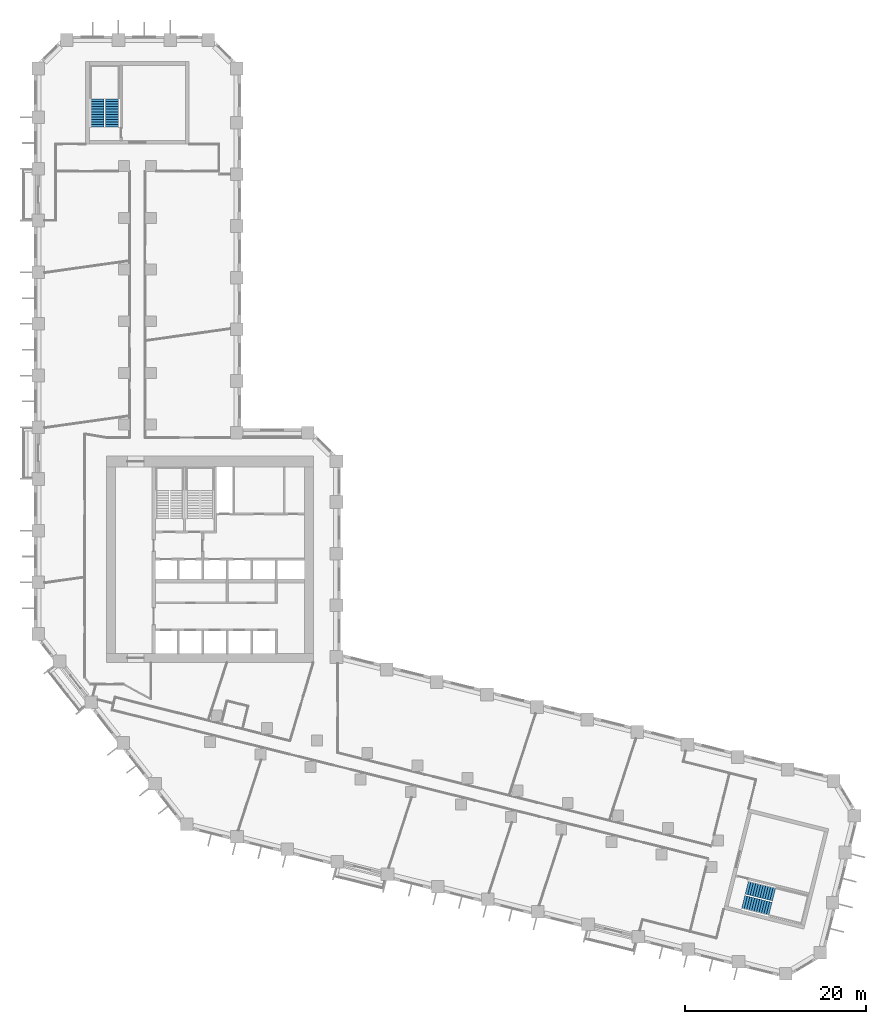
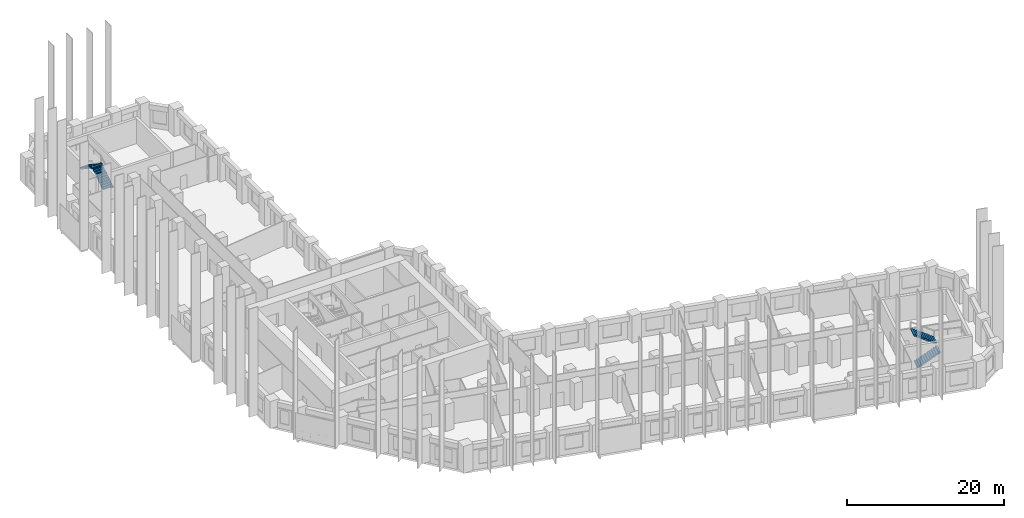
# One storey, part 11 of 12: 4 stair flights, 2 elements without a shape of their own.
"""IFC4 building model written with IfcOpenShell, lengths in metres."""

from ifc_helpers import new_model, si_unit, direction, frame, origin, place, context, subcontext, project, spatial, polyline, outline, extrude, material, type_object, element, aggregate, save


model = new_model("IFC4")

# Units and contexts
model_context = context("Model", 3, precision=1e-05, world=origin(), true_north=direction((0.0, 1.0)))
body_context = subcontext(model_context, "Body", "Model", "MODEL_VIEW")
ifc_project = project(units=[si_unit("LENGTHUNIT", "METRE"), si_unit("AREAUNIT", "SQUARE_METRE"), si_unit("VOLUMEUNIT", "CUBIC_METRE"), si_unit("PLANEANGLEUNIT", "RADIAN"), si_unit("MASSUNIT", "GRAM", prefix="KILO")], contexts=[model_context])

# Site, building, storey
site_placement = place(None, origin())
site = spatial("IfcSite", under=ifc_project, at=site_placement, CompositionType="ELEMENT")
building_placement = place(site_placement, origin())
building = spatial("IfcBuilding", under=site, at=building_placement, Name="Meshkara Civic Tower", CompositionType="ELEMENT")
storey_placement = place(building_placement, frame((0.0, 0.0, 66.60009765625)))
storey = spatial("IfcBuildingStorey", under=building, at=storey_placement, Name="L14", CompositionType="ELEMENT", Elevation=66.60009765625)

# Stair, stair flights
ifc_material_1 = material(Name="Precast concrete C40/50", Category="concrete")
stair_type = type_object("IfcStairType", Name="Exit stair half-turn 24 risers 1500 precast", PredefinedType="HALF_TURN_STAIR", material=ifc_material_1)
stair_1_placement = place(storey_placement, origin())
stair_1 = element("IfcStair", 1, at=stair_1_placement, inside=storey, type_object=stair_type, Name="L14 exit stair A from B2", PredefinedType="HALF_TURN_STAIR")
ifc_material_2 = material(Name="Precast concrete C40/50", Category="concrete")
stair_flight_type = type_object("IfcStairFlightType", Name="Exit stair flight 12 risers 1500 precast", PredefinedType="STRAIGHT", material=ifc_material_2)
stair_flight_1_placement = place(storey_placement, frame((8.625, 73.169921875, 0.0), z_axis=(0.0, 0.0, 1.0), x_axis=(0.0, 1.0, 0.0)))
stair_flight_1 = element("IfcStairFlight", 2, at=stair_flight_1_placement, type_object=stair_flight_type, Name="ESA1 flight 1", NumberOfRisers=12, NumberOfTreads=11, PredefinedType="STRAIGHT", RiserHeight=0.175, TreadLength=0.28, context=body_context, shape_type="SweptSolid", body=[
    extrude(outline(polyline([(0.0, 0.0), (0.0, 0.175048828125), (0.280029296875, 0.175048828125), (0.280029296875, 0.35009765625), (0.56005859375, 0.35009765625), (0.56005859375, 0.52490234375), (0.840087890625, 0.52490234375), (0.840087890625, 0.699951171875), (1.1201171875, 0.699951171875), (1.1201171875, 0.875), (1.39990234375, 0.875), (1.39990234375, 1.050048828125), (1.679931640625, 1.050048828125), (1.679931640625, 1.22509765625), (1.9599609375, 1.22509765625), (1.9599609375, 1.39990234375), (2.239990234375, 1.39990234375), (2.239990234375, 1.574951171875), (2.52001953125, 1.574951171875), (2.52001953125, 1.75), (2.800048828125, 1.75), (2.800048828125, 1.925048828125), (3.080078125, 1.925048828125), (3.080078125, 2.10009765625), (3.080078125, 1.748291015625), (0.28271484375, 0.0), (0.0, 0.0)])), frame((0.0, 0.75, 0.0), z_axis=(0.0, -1.0, 0.0), x_axis=(1.0, 0.0, 0.0)), (0.0, 0.0, 1.0), 1.5),
])
stair_flight_2_placement = place(storey_placement, frame((6.97509765625, 76.25, 2.099853515625), z_axis=(0.0, 0.0, 1.0), x_axis=(0.0, -1.0, 0.0)))
stair_flight_2 = element("IfcStairFlight", 3, at=stair_flight_2_placement, type_object=stair_flight_type, Name="ESA1 flight 2", NumberOfRisers=12, NumberOfTreads=11, PredefinedType="STRAIGHT", RiserHeight=0.175, TreadLength=0.28, context=body_context, shape_type="SweptSolid", body=[
    extrude(outline(polyline([(0.0, 0.0), (0.0, 0.175048828125), (0.280029296875, 0.175048828125), (0.280029296875, 0.35009765625), (0.56005859375, 0.35009765625), (0.56005859375, 0.52490234375), (0.840087890625, 0.52490234375), (0.840087890625, 0.699951171875), (1.1201171875, 0.699951171875), (1.1201171875, 0.875), (1.39990234375, 0.875), (1.39990234375, 1.050048828125), (1.679931640625, 1.050048828125), (1.679931640625, 1.22509765625), (1.9599609375, 1.22509765625), (1.9599609375, 1.39990234375), (2.239990234375, 1.39990234375), (2.239990234375, 1.574951171875), (2.52001953125, 1.574951171875), (2.52001953125, 1.75), (2.800048828125, 1.75), (2.800048828125, 1.925048828125), (3.080078125, 1.925048828125), (3.080078125, 2.10009765625), (3.080078125, 1.748291015625), (0.28271484375, 0.0), (0.0, 0.0)])), frame((0.0, 0.75, 0.0), z_axis=(0.0, -1.0, 0.0), x_axis=(1.0, 0.0, 0.0)), (0.0, 0.0, 1.0), 1.5),
])
aggregate(stair_1, [stair_flight_1, stair_flight_2])

stair_2_placement = place(storey_placement, origin())
stair_2 = element("IfcStair", 4, at=stair_2_placement, inside=storey, type_object=stair_type, Name="L14 exit stair B from B2", PredefinedType="HALF_TURN_STAIR")
stair_flight_3_placement = place(storey_placement, frame((78.214599609375, -12.3125, 0.0), z_axis=(0.0, 0.0, 1.0), x_axis=(0.970260066579, -0.242064873955, 0.0)))
stair_flight_3 = element("IfcStairFlight", 5, at=stair_flight_3_placement, type_object=stair_flight_type, Name="ESB1 flight 1", NumberOfRisers=12, NumberOfTreads=11, PredefinedType="STRAIGHT", RiserHeight=0.175, TreadLength=0.28, context=body_context, shape_type="SweptSolid", body=[
    extrude(outline(polyline([(0.0, 0.0), (0.0, 0.175048828125), (0.280029296875, 0.175048828125), (0.280029296875, 0.35009765625), (0.56005859375, 0.35009765625), (0.56005859375, 0.52490234375), (0.840087890625, 0.52490234375), (0.840087890625, 0.699951171875), (1.1201171875, 0.699951171875), (1.1201171875, 0.875), (1.39990234375, 0.875), (1.39990234375, 1.050048828125), (1.679931640625, 1.050048828125), (1.679931640625, 1.22509765625), (1.9599609375, 1.22509765625), (1.9599609375, 1.39990234375), (2.239990234375, 1.39990234375), (2.239990234375, 1.574951171875), (2.52001953125, 1.574951171875), (2.52001953125, 1.75), (2.800048828125, 1.75), (2.800048828125, 1.925048828125), (3.080078125, 1.925048828125), (3.080078125, 2.10009765625), (3.080078125, 1.748291015625), (0.28271484375, 0.0), (0.0, 0.0)])), frame((0.0, 0.75, 0.0), z_axis=(0.0, -1.0, 0.0), x_axis=(1.0, 0.0, 0.0)), (0.0, 0.0, 1.0), 1.5),
])
stair_flight_4_placement = place(storey_placement, frame((81.6025390625, -11.457275390625, 2.099853515625), z_axis=(0.0, 0.0, 1.0), x_axis=(-0.970260066579, 0.242064873955, 0.0)))
stair_flight_4 = element("IfcStairFlight", 6, at=stair_flight_4_placement, type_object=stair_flight_type, Name="ESB1 flight 2", NumberOfRisers=12, NumberOfTreads=11, PredefinedType="STRAIGHT", RiserHeight=0.175, TreadLength=0.28, context=body_context, shape_type="SweptSolid", body=[
    extrude(outline(polyline([(0.0, 0.0), (0.0, 0.175048828125), (0.280029296875, 0.175048828125), (0.280029296875, 0.35009765625), (0.56005859375, 0.35009765625), (0.56005859375, 0.52490234375), (0.840087890625, 0.52490234375), (0.840087890625, 0.699951171875), (1.1201171875, 0.699951171875), (1.1201171875, 0.875), (1.39990234375, 0.875), (1.39990234375, 1.050048828125), (1.679931640625, 1.050048828125), (1.679931640625, 1.22509765625), (1.9599609375, 1.22509765625), (1.9599609375, 1.39990234375), (2.239990234375, 1.39990234375), (2.239990234375, 1.574951171875), (2.52001953125, 1.574951171875), (2.52001953125, 1.75), (2.800048828125, 1.75), (2.800048828125, 1.925048828125), (3.080078125, 1.925048828125), (3.080078125, 2.10009765625), (3.080078125, 1.748291015625), (0.28271484375, 0.0), (0.0, 0.0)])), frame((0.0, 0.75, 0.0), z_axis=(0.0, -1.0, 0.0), x_axis=(1.0, 0.0, 0.0)), (0.0, 0.0, 1.0), 1.5),
])
aggregate(stair_2, [stair_flight_3, stair_flight_4])

save(model, "model.ifc")
